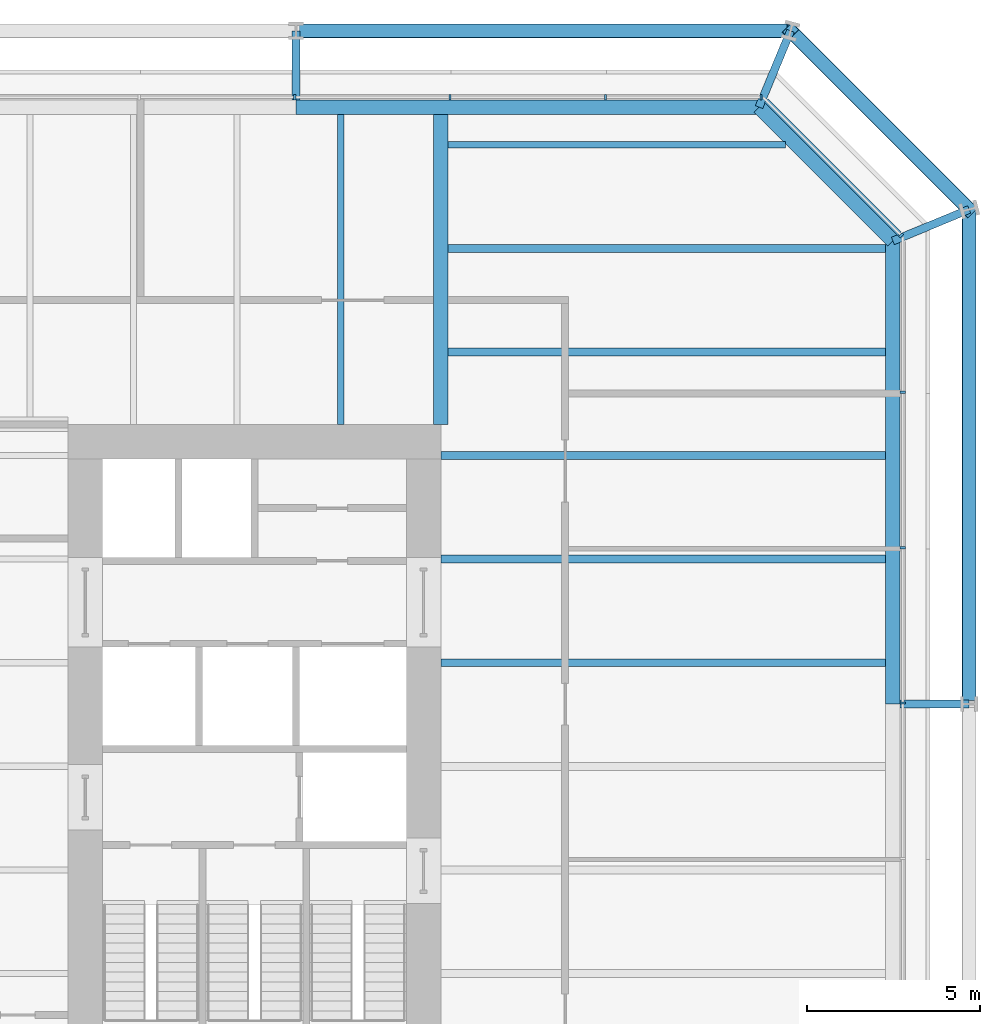
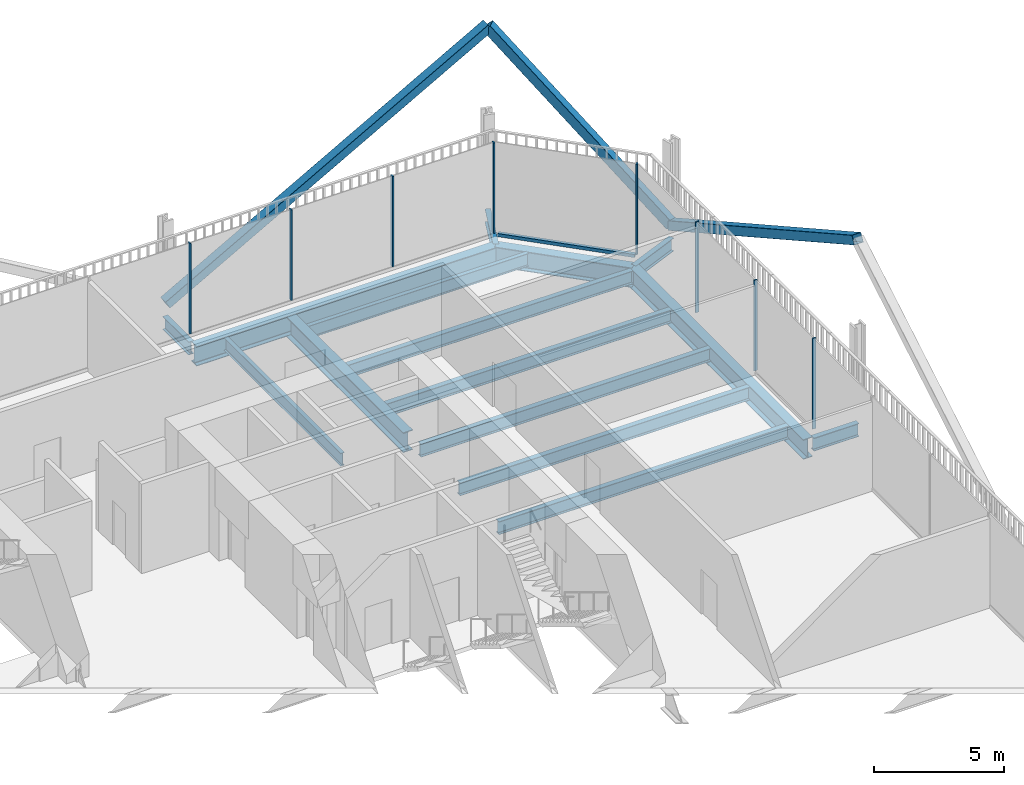
# One storey, part 15 of 21: 15 beams, 12 members, 3 elements without a shape of their own.
"""IFC4 building model written with IfcOpenShell, lengths in metres."""

import ifcopenshell
import ifcopenshell.guid

model = None  # the IFC model being written
_history = None  # IfcOwnerHistory: only IFC2X3 demands one
_inside = {}  # id of a spatial element -> (the spatial element, [elements in it])
_under = {}  # id of a project, library or spatial element -> (it, [spatial elements below it])
_declared = {}  # id of a project -> (the project, [libraries it declares])
_typed = {}  # id of a type object -> (the type object, [elements of that type])
_made_of = {}  # id of a material, layer set ... -> (it, [elements and type objects made of it])


def new_model(schema):
    """Start an empty IFC model of exactly this schema.

    Asked for "IFC4X3", IfcOpenShell would pick the latest addendum, in which some entities
    have other attributes; the version numbers below select the first issue.
    IFC2X3 requires an IfcOwnerHistory on every rooted entity: one is made here for all.
    """
    global model, _history
    if schema == "IFC4X3":
        model = ifcopenshell.file(schema_version=(4, 3, 0, 0))
    else:
        model = ifcopenshell.file(schema=schema)
    _inside.clear()
    _under.clear()
    _declared.clear()
    _typed.clear()
    _made_of.clear()
    _history = None
    if model.schema == "IFC2X3":
        org = make("IfcOrganization", Name="unknown")
        user = make(
            "IfcPersonAndOrganization",
            ThePerson=make("IfcPerson", FamilyName="unknown"),
            TheOrganization=org,
        )
        app = make(
            "IfcApplication",
            ApplicationDeveloper=org,
            Version="unknown",
            ApplicationFullName="unknown",
            ApplicationIdentifier="unknown",
        )
        _history = make(
            "IfcOwnerHistory",
            OwningUser=user,
            OwningApplication=app,
            ChangeAction="ADDED",
            CreationDate=0,
        )
    return model


def make(cls, **values):
    """One entity of the class cls with the attributes given. An attribute that is None is left unset."""
    return model.create_entity(
        cls, **{name: value for name, value in values.items() if value is not None}
    )


def rooted(cls, **values):
    """An entity with a GlobalId (a new one), such as an element, a storey or a relation."""
    return make(cls, GlobalId=ifcopenshell.guid.new(), OwnerHistory=_history, **values)


def si_unit(unit_type, name, prefix=None):
    """IfcSIUnit, for example si_unit("LENGTHUNIT", "METRE", prefix="MILLI")."""
    return make("IfcSIUnit", UnitType=unit_type, Prefix=prefix, Name=name)


def assignment(units):
    """IfcUnitAssignment: the units of a project."""
    return None if units is None else make("IfcUnitAssignment", Units=units)


def point(xyz):
    """IfcCartesianPoint."""
    return None if xyz is None else make("IfcCartesianPoint", Coordinates=xyz)


def direction(xyz):
    """IfcDirection."""
    return None if xyz is None else make("IfcDirection", DirectionRatios=xyz)


def frame(location, z_axis=None, x_axis=None):
    """IfcAxis2Placement3D, a coordinate frame: its origin and axes. An axis left out is left unset."""
    return make(
        "IfcAxis2Placement3D",
        Location=point(location),
        Axis=direction(z_axis),
        RefDirection=direction(x_axis),
    )


def frame_2d(location, x_axis=None):
    """IfcAxis2Placement2D, a coordinate frame in the plane: its origin and x axis."""
    return make(
        "IfcAxis2Placement2D", Location=point(location), RefDirection=direction(x_axis)
    )


def origin():
    """The frame at (0, 0, 0) with its axes left unset."""
    return frame((0.0, 0.0, 0.0))


def origin_2d():
    """The frame at (0, 0) in the plane with its x axis left unset."""
    return frame_2d((0.0, 0.0))


def place(relative_to, where):
    """IfcLocalPlacement: puts the frame where relative to a parent placement (None: the world)."""
    return make(
        "IfcLocalPlacement", PlacementRelTo=relative_to, RelativePlacement=where
    )


def context(
    kind, dimensions, precision=None, world=None, true_north=None, identifier=None
):
    """IfcGeometricRepresentationContext, for example the 3D "Model" context."""
    return make(
        "IfcGeometricRepresentationContext",
        ContextIdentifier=identifier,
        ContextType=kind,
        CoordinateSpaceDimension=dimensions,
        Precision=precision,
        WorldCoordinateSystem=world,
        TrueNorth=true_north,
    )


def subcontext(parent, identifier, kind, view, scale=None):
    """IfcGeometricRepresentationSubContext, for example "Body" below "Model"."""
    return make(
        "IfcGeometricRepresentationSubContext",
        ContextIdentifier=identifier,
        ContextType=kind,
        ParentContext=parent,
        TargetScale=scale,
        TargetView=view,
    )


def project(units=None, contexts=None):
    """IfcProject with its units and contexts."""
    return rooted(
        "IfcProject",
        Name="project",
        RepresentationContexts=contexts,
        UnitsInContext=assignment(units),
    )


def spatial(cls, under=None, at=None, **own):
    """A site, building, storey or space (cls), placed at a placement, below another one or the project."""
    s = rooted(cls, ObjectPlacement=at, **own)
    if under is not None:
        _under.setdefault(under.id(), (under, []))[1].append(s)
    return s


def profile(cls, at=None, kind="AREA", **sizes):
    """A parametric profile (cls). Its sizes go by their IFC names, for example OverallWidth=200.0."""
    return make(cls, ProfileType=kind, Position=at, **sizes)


def rectangle(**sizes):
    """IfcRectangleProfileDef."""
    return profile("IfcRectangleProfileDef", **sizes)


def hollow_rectangle(**sizes):
    """IfcRectangleHollowProfileDef."""
    return profile("IfcRectangleHollowProfileDef", **sizes)


def i_section(**sizes):
    """IfcIShapeProfileDef."""
    return profile("IfcIShapeProfileDef", **sizes)


def extrude(swept, where, along, depth):
    """IfcExtrudedAreaSolid: the profile swept, set in the frame where, extruded along a direction by depth."""
    return make(
        "IfcExtrudedAreaSolid",
        SweptArea=swept,
        Position=where,
        ExtrudedDirection=direction(along),
        Depth=depth,
    )


def shape(context_of_items, identifier, shape_type, items):
    """IfcShapeRepresentation: the items that make up one representation, for example the "Body"."""
    return make(
        "IfcShapeRepresentation",
        ContextOfItems=context_of_items,
        RepresentationIdentifier=identifier,
        RepresentationType=shape_type,
        Items=items,
    )


def material(Name=None, Category=None):
    """IfcMaterial."""
    return make("IfcMaterial", Name=Name, Category=Category)


def layer(
    of_material, thickness, ventilated=None, Name=None, Category=None, Priority=None
):
    """IfcMaterialLayer: one layer of a wall or slab, of a material (None: an air gap)."""
    return make(
        "IfcMaterialLayer",
        Material=of_material,
        LayerThickness=thickness,
        IsVentilated=ventilated,
        Name=Name,
        Category=Category,
        Priority=Priority,
    )


def layer_set(layers, Name=None):
    """IfcMaterialLayerSet."""
    return make("IfcMaterialLayerSet", MaterialLayers=layers, LayerSetName=Name)


def material_profile(
    of_material, cross_section, Name=None, Category=None, Priority=None
):
    """IfcMaterialProfile: a cross section and its material."""
    return make(
        "IfcMaterialProfile",
        Name=Name,
        Material=of_material,
        Profile=cross_section,
        Priority=Priority,
        Category=Category,
    )


def profile_set(profiles, Name=None, composite=None):
    """IfcMaterialProfileSet."""
    return make(
        "IfcMaterialProfileSet",
        Name=Name,
        MaterialProfiles=profiles,
        CompositeProfile=composite,
    )


def made_of(thing, what):
    """Note that an element or type object is made of a material, layer set ...; save() writes the relation."""
    if what is not None:
        _made_of.setdefault(what.id(), (what, []))[1].append(thing)
    return thing


def type_object(cls, material=None, **own):
    """A type object (cls), such as IfcWallType, which elements share."""
    return made_of(rooted(cls, **own), material)


def element(
    cls,
    number,
    at=None,
    inside=None,
    cuts=None,
    type_object=None,
    material=None,
    context=None,
    identifier="Body",
    shape_type=None,
    held_by="IfcProductDefinitionShape",
    body=None,
    shapes=None,
    **own,
):
    """One element of the class cls, such as IfcWall. Its Tag is "e" and its number.

    at: its placement. inside: the storey or other place that contains it. cuts: it is an
    opening in that element (IfcRelVoidsElement). A single representation is given by context,
    identifier, shape_type and body (its items); several are given by shapes. held_by: the class
    of the entity that holds the representations. save() writes the other relations.
    """
    e = rooted(cls, Tag="e%d" % number, ObjectPlacement=at, **own)
    if body is not None:
        shapes = [shape(context, identifier, shape_type, body)]
    if shapes is not None:
        e.Representation = make(held_by, Representations=shapes)
    if inside is not None:
        _inside.setdefault(inside.id(), (inside, []))[1].append(e)
    if cuts is not None:
        rooted(
            "IfcRelVoidsElement", RelatingBuildingElement=cuts, RelatedOpeningElement=e
        )
    if type_object is not None:
        _typed.setdefault(type_object.id(), (type_object, []))[1].append(e)
    return made_of(e, material)


def aggregate(whole, parts):
    """IfcRelAggregates: a whole, such as a stair, and the parts it consists of."""
    return rooted("IfcRelAggregates", RelatingObject=whole, RelatedObjects=parts)


def save(model, path):
    """Write the relations noted so far, then the file.

    IfcRelAggregates (storeys below a building ...), IfcRelContainedInSpatialStructure (elements
    in a storey), IfcRelDefinesByType, IfcRelAssociatesMaterial and IfcRelDeclares: one each for
    every whole, place, type object, material and project.
    """
    for whole, parts in _under.values():
        aggregate(whole, parts)
    for where, things in _inside.values():
        rooted(
            "IfcRelContainedInSpatialStructure",
            RelatedElements=things,
            RelatingStructure=where,
        )
    for kind, things in _typed.values():
        rooted("IfcRelDefinesByType", RelatedObjects=things, RelatingType=kind)
    for what, things in _made_of.values():
        rooted("IfcRelAssociatesMaterial", RelatedObjects=things, RelatingMaterial=what)
    for by, libraries in _declared.values():
        rooted("IfcRelDeclares", RelatingContext=by, RelatedDefinitions=libraries)
    model.write(path)


model = new_model("IFC4")

# Units and contexts
model_context = context("Model", 3, precision=1e-05, world=origin(), true_north=direction((0.0, 1.0)))
body_context = subcontext(model_context, "Body", "Model", "MODEL_VIEW")
ifc_project = project(units=[si_unit("LENGTHUNIT", "METRE"), si_unit("AREAUNIT", "SQUARE_METRE"), si_unit("VOLUMEUNIT", "CUBIC_METRE"), si_unit("PLANEANGLEUNIT", "RADIAN"), si_unit("MASSUNIT", "GRAM", prefix="KILO")], contexts=[model_context])

# Site, building, storey
site_placement = place(None, origin())
site = spatial("IfcSite", under=ifc_project, at=site_placement, CompositionType="ELEMENT")
building_placement = place(site_placement, origin())
building = spatial("IfcBuilding", under=site, at=building_placement, Name="Millrace Tower", CompositionType="ELEMENT")
storey_placement = place(building_placement, frame((0.0, 0.0, 95.199951171875)))
storey = spatial("IfcBuildingStorey", under=building, at=storey_placement, Name="L21", CompositionType="ELEMENT", Elevation=95.199951171875)

# Curtain wall, members
ifc_material_1 = material(Name="Aluminium and glass", Category="aluminium")
ifc_layer = layer(ifc_material_1, 0.14990234375)
ifc_layer_set = layer_set([ifc_layer], Name="Aluminium and glass")
curtain_wall_type = type_object("IfcCurtainWallType", Name="CW-3 telecom floor curtain wall", PredefinedType="NOTDEFINED", material=ifc_layer_set)
placement = place(storey_placement, origin())
curtain_wall_1 = element("IfcCurtainWall", 1, at=placement, inside=storey, type_object=curtain_wall_type, Name="Curtain wall B-F04 L21", PredefinedType="NOTDEFINED")
ifc_material_2 = material(Name="Aluminium", Category="aluminium")
ifc_material_profile_1 = material_profile(ifc_material_2, rectangle(XDim=0.06494140625, YDim=0.14990234375, at=origin_2d()))
ifc_profile_set_1 = profile_set([ifc_material_profile_1], Name="Aluminium")
member_type_1 = type_object("IfcMemberType", Name="CW-3 telecom floor curtain wall mullion", PredefinedType="MULLION", material=ifc_profile_set_1)
member_1_placement = place(storey_placement, frame((28.27490234375, 1.83251953125, 0.150146484375), z_axis=(0.0, 0.0, 1.0), x_axis=(0.0, 1.0, 0.0)))
member_1 = element("IfcMember", 2, at=member_1_placement, type_object=member_type_1, Name="CW3 mullion B-F04.7", PredefinedType="MULLION", context=body_context, shape_type="SweptSolid", body=[
    extrude(rectangle(XDim=0.06494140625, YDim=0.14990234375, at=origin_2d()), origin(), (0.0, 0.0, 1.0), 4.25),
])
member_2_placement = place(storey_placement, frame((28.27490234375, 6.33251953125, 0.150146484375), z_axis=(0.0, 0.0, 1.0), x_axis=(0.0, 1.0, 0.0)))
member_2 = element("IfcMember", 3, at=member_2_placement, type_object=member_type_1, Name="CW3 mullion B-F04.8", PredefinedType="MULLION", context=body_context, shape_type="SweptSolid", body=[
    extrude(rectangle(XDim=0.06494140625, YDim=0.14990234375, at=origin_2d()), origin(), (0.0, 0.0, 1.0), 4.25),
])
member_3_placement = place(storey_placement, frame((28.27490234375, 10.83251953125, 0.150146484375), z_axis=(0.0, 0.0, 1.0), x_axis=(0.0, 1.0, 0.0)))
member_3 = element("IfcMember", 4, at=member_3_placement, type_object=member_type_1, Name="CW3 mullion B-F04.9", PredefinedType="MULLION", context=body_context, shape_type="SweptSolid", body=[
    extrude(rectangle(XDim=0.06494140625, YDim=0.14990234375, at=origin_2d()), origin(), (0.0, 0.0, 1.0), 4.25),
])
aggregate(curtain_wall_1, [member_1, member_2, member_3])

# Curtain wall, member
curtain_wall_2 = element("IfcCurtainWall", 5, at=placement, inside=storey, type_object=curtain_wall_type, Name="Curtain wall B-F05 L21", PredefinedType="NOTDEFINED")
member_4_placement = place(storey_placement, frame((28.22998046875, 15.3759765625, 0.150146484375), z_axis=(0.0, 0.0, 1.0), x_axis=(-0.707106781187, 0.707106781187, 0.0)))
member_4 = element("IfcMember", 6, at=member_4_placement, type_object=member_type_1, Name="CW3 mullion B-F05.1", PredefinedType="MULLION", context=body_context, shape_type="SweptSolid", body=[
    extrude(rectangle(XDim=0.06494140625, YDim=0.14990234375, at=origin_2d()), origin(), (0.0, 0.0, 1.0), 4.25),
])

# Curtain wall, members
curtain_wall_3 = element("IfcCurtainWall", 7, at=placement, inside=storey, type_object=curtain_wall_type, Name="Curtain wall B-F06 L21", PredefinedType="NOTDEFINED")
member_5_placement = place(storey_placement, frame((24.16748046875, 19.375, 0.150146484375), z_axis=(0.0, 0.0, 1.0), x_axis=(-1.0, 0.0, 0.0)))
member_5 = element("IfcMember", 8, at=member_5_placement, type_object=member_type_1, Name="CW3 mullion B-F06.1", PredefinedType="MULLION", context=body_context, shape_type="SweptSolid", body=[
    extrude(rectangle(XDim=0.06494140625, YDim=0.14990234375, at=origin_2d()), origin(), (0.0, 0.0, 1.0), 4.25),
])
member_6_placement = place(storey_placement, frame((19.66748046875, 19.375, 0.150146484375), z_axis=(0.0, 0.0, 1.0), x_axis=(-1.0, 0.0, 0.0)))
member_6 = element("IfcMember", 9, at=member_6_placement, type_object=member_type_1, Name="CW3 mullion B-F06.2", PredefinedType="MULLION", context=body_context, shape_type="SweptSolid", body=[
    extrude(rectangle(XDim=0.06494140625, YDim=0.14990234375, at=origin_2d()), origin(), (0.0, 0.0, 1.0), 4.25),
])
member_7_placement = place(storey_placement, frame((15.16748046875, 19.375, 0.150146484375), z_axis=(0.0, 0.0, 1.0), x_axis=(-1.0, 0.0, 0.0)))
member_7 = element("IfcMember", 10, at=member_7_placement, type_object=member_type_1, Name="CW3 mullion B-F06.3", PredefinedType="MULLION", context=body_context, shape_type="SweptSolid", body=[
    extrude(rectangle(XDim=0.06494140625, YDim=0.14990234375, at=origin_2d()), origin(), (0.0, 0.0, 1.0), 4.25),
])
member_8_placement = place(storey_placement, frame((10.66748046875, 19.375, 0.150146484375), z_axis=(0.0, 0.0, 1.0), x_axis=(-1.0, 0.0, 0.0)))
member_8 = element("IfcMember", 11, at=member_8_placement, type_object=member_type_1, Name="CW3 mullion B-F06.4", PredefinedType="MULLION", context=body_context, shape_type="SweptSolid", body=[
    extrude(rectangle(XDim=0.06494140625, YDim=0.14990234375, at=origin_2d()), origin(), (0.0, 0.0, 1.0), 4.25),
])
aggregate(curtain_wall_3, [member_5, member_6, member_7, member_8])

# Member
ifc_material_3 = material(Name="Aluminium", Category="aluminium")
ifc_material_profile_2 = material_profile(ifc_material_3, rectangle(XDim=0.14990234375, YDim=0.14990234375, at=origin_2d()))
ifc_profile_set_2 = profile_set([ifc_material_profile_2], Name="Aluminium")
member_type_2 = type_object("IfcMemberType", Name="CW-3 telecom floor curtain wall transom", PredefinedType="USERDEFINED", material=ifc_profile_set_2)
member_9_placement = place(storey_placement, frame((28.182373046875, 15.423828125, 0.074951171875), z_axis=(-0.707129151258, 0.707084410407, 0.0), x_axis=(-0.707084410407, -0.707129151258, 0.0)))
member_9 = element("IfcMember", 12, at=member_9_placement, type_object=member_type_2, Name="CW3 transom B-F05.1", ObjectType="TRANSOM", PredefinedType="USERDEFINED", context=body_context, shape_type="SweptSolid", body=[
    extrude(rectangle(XDim=0.14990234375, YDim=0.14990234375, at=origin_2d()), origin(), (0.0, 0.0, 1.0), 5.456787109375),
])

aggregate(curtain_wall_2, [member_4, member_9])

# Members
ifc_material_4 = material(Name="Steel ASTM A500 Grade C", Category="steel")
ifc_material_profile_3 = material_profile(ifc_material_4, hollow_rectangle(XDim=0.406494140625, YDim=0.406494140625, WallThickness=0.0126953125, InnerFilletRadius=0.00634765625, OuterFilletRadius=0.01904296875, at=origin_2d()))
ifc_profile_set_3 = profile_set([ifc_material_profile_3], Name="Steel ASTM A500 Grade C")
member_type_3 = type_object("IfcMemberType", Name="Exoskeleton brace HSS16x16x1/2", PredefinedType="BRACE", material=ifc_profile_set_3)
member_10_placement = place(storey_placement, frame((30.199951171875, 16.12841796875, 0.400146484375), z_axis=(0.0, -0.873125840427, 0.487494888976), x_axis=(1.0, 0.0, 0.0)))
element("IfcMember", 13, at=member_10_placement, inside=storey, type_object=member_type_3, Name="BRC-B-L21-08", PredefinedType="BRACE", context=body_context, shape_type="SweptSolid", body=[
    extrude(hollow_rectangle(XDim=0.406494140625, YDim=0.406494140625, WallThickness=0.0126953125, InnerFilletRadius=0.00634765625, OuterFilletRadius=0.01904296875, at=origin_2d()), origin(), (0.0, 0.0, 1.0), 16.410400390625),
])
member_11_placement = place(storey_placement, frame((30.199951171875, 16.12841796875, 0.400146484375), z_axis=(-0.477116280189, 0.477116280189, 0.738051563482), x_axis=(-0.707106781187, -0.707106781187, 0.0)))
element("IfcMember", 14, at=member_11_placement, inside=storey, type_object=member_type_3, Name="BRC-B-L21-09", PredefinedType="BRACE", context=body_context, shape_type="SweptSolid", body=[
    extrude(hollow_rectangle(XDim=0.406494140625, YDim=0.406494140625, WallThickness=0.0126953125, InnerFilletRadius=0.00634765625, OuterFilletRadius=0.01904296875, at=origin_2d()), origin(), (0.0, 0.0, 1.0), 10.83935546875),
])
member_12_placement = place(storey_placement, frame((10.699951171875, 21.300048828125, 0.400146484375), z_axis=(0.873125840427, 0.0, 0.487494888976), x_axis=(0.0, 1.0, 0.0)))
element("IfcMember", 15, at=member_12_placement, inside=storey, type_object=member_type_3, Name="BRC-B-L21-10", PredefinedType="BRACE", context=body_context, shape_type="SweptSolid", body=[
    extrude(hollow_rectangle(XDim=0.406494140625, YDim=0.406494140625, WallThickness=0.0126953125, InnerFilletRadius=0.00634765625, OuterFilletRadius=0.01904296875, at=origin_2d()), origin(), (0.0, 0.0, 1.0), 16.410400390625),
])

# Beams
ifc_material_5 = material(Name="Steel ASTM A992 Grade 50", Category="steel")
ifc_material_profile_4 = material_profile(ifc_material_5, i_section(OverallWidth=0.177978515625, OverallDepth=0.599365234375, WebThickness=0.010009765625, FlangeThickness=0.012939453125, FilletRadius=0.012939453125, at=origin_2d()))
ifc_profile_set_4 = profile_set([ifc_material_profile_4], Name="Steel ASTM A992 Grade 50")
beam_type_1 = type_object("IfcBeamType", Name="Floor beam W24x55", PredefinedType="JOIST", material=ifc_profile_set_4)
beam_1_placement = place(storey_placement, frame((12.0, 9.89990234375, -0.499755859375), z_axis=(0.0, 1.0, 0.0), x_axis=(-1.0, 0.0, 0.0)))
element("IfcBeam", 16, at=beam_1_placement, inside=storey, type_object=beam_type_1, Name="BM-B-L21-S1-S056", PredefinedType="JOIST", context=body_context, shape_type="SweptSolid", body=[
    extrude(i_section(OverallWidth=0.177978515625, OverallDepth=0.599365234375, WebThickness=0.010009765625, FlangeThickness=0.012939453125, FilletRadius=0.012939453125, at=origin_2d()), origin(), (0.0, 0.0, 1.0), 8.98095703125),
])
beam_2_placement = place(storey_placement, frame((15.11083984375, 18.0, -0.499755859375), z_axis=(1.0, 0.0, 0.0), x_axis=(0.0, 1.0, 0.0)))
element("IfcBeam", 17, at=beam_2_placement, inside=storey, type_object=beam_type_1, Name="BM-B-L21-S1-S039", PredefinedType="JOIST", context=body_context, shape_type="SweptSolid", body=[
    extrude(i_section(OverallWidth=0.177978515625, OverallDepth=0.599365234375, WebThickness=0.010009765625, FlangeThickness=0.012939453125, FilletRadius=0.012939453125, at=origin_2d()), origin(), (0.0, 0.0, 1.0), 9.7724609375),
])
ifc_material_6 = material(Name="Steel ASTM A992 Grade 50", Category="steel")
ifc_material_profile_5 = material_profile(ifc_material_6, i_section(OverallWidth=0.228271484375, OverallDepth=0.607177734375, WebThickness=0.01123046875, FlangeThickness=0.017333984375, FilletRadius=0.0126953125, at=origin_2d()))
ifc_profile_set_5 = profile_set([ifc_material_profile_5], Name="Steel ASTM A992 Grade 50")
beam_type_2 = type_object("IfcBeamType", Name="Floor beam W24x76", PredefinedType="JOIST", material=ifc_profile_set_5)
for number, where, z_axis, x_axis, name in (
    (18, (14.89990234375, 3.0, -0.50341796875), (1.0, 0.0, 0.0), (0.0, 1.0, 0.0), "BM-B-L21-S1-S027"),
    (19, (14.89990234375, 6.0, -0.50341796875), (1.0, 0.0, 0.0), (0.0, 1.0, 0.0), "BM-B-L21-S1-S030"),
    (20, (14.89990234375, 9.0, -0.50341796875), (1.0, 0.0, 0.0), (0.0, 1.0, 0.0), "BM-B-L21-S1-S033"),
):
    element("IfcBeam", number, at=place(storey_placement, frame(where, z_axis=z_axis, x_axis=x_axis)), inside=storey, type_object=beam_type_2, Name=name, PredefinedType="JOIST", context=body_context, shape_type="SweptSolid", body=[
        extrude(i_section(OverallWidth=0.228271484375, OverallDepth=0.607177734375, WebThickness=0.01123046875, FlangeThickness=0.017333984375, FilletRadius=0.0126953125, at=origin_2d()), origin(), (0.0, 0.0, 1.0), 12.881103515625),
    ])
for number, where, z_axis, x_axis, name in (
    (21, (15.11083984375, 12.0, -0.50341796875), (1.0, 0.0, 0.0), (0.0, 1.0, 0.0), "BM-B-L21-S1-S035"),
    (22, (15.11083984375, 15.0, -0.50341796875), (1.0, 0.0, 0.0), (0.0, 1.0, 0.0), "BM-B-L21-S1-S037"),
):
    element("IfcBeam", number, at=place(storey_placement, frame(where, z_axis=z_axis, x_axis=x_axis)), inside=storey, type_object=beam_type_2, Name=name, PredefinedType="JOIST", context=body_context, shape_type="SweptSolid", body=[
        extrude(i_section(OverallWidth=0.228271484375, OverallDepth=0.607177734375, WebThickness=0.01123046875, FlangeThickness=0.017333984375, FilletRadius=0.0126953125, at=origin_2d()), origin(), (0.0, 0.0, 1.0), 12.670166015625),
    ])
ifc_material_7 = material(Name="Steel ASTM A992 Grade 50", Category="steel")
ifc_material_profile_6 = material_profile(ifc_material_7, i_section(OverallWidth=0.421630859375, OverallDepth=0.937255859375, WebThickness=0.021240234375, FlangeThickness=0.03662109375, FilletRadius=0.024169921875, at=origin_2d()))
ifc_profile_set_6 = profile_set([ifc_material_profile_6], Name="Steel ASTM A992 Grade 50")
beam_type_3 = type_object("IfcBeamType", Name="Girder short span W36x262", PredefinedType="BEAM", material=ifc_profile_set_6)
beam_3_placement = place(storey_placement, frame((14.89990234375, 9.89990234375, -0.668701171875), z_axis=(0.0, 1.0, 0.0), x_axis=(-1.0, 0.0, 0.0)))
element("IfcBeam", 23, at=beam_3_placement, inside=storey, type_object=beam_type_3, Name="BM-B-L21-S1-G060", PredefinedType="BEAM", context=body_context, shape_type="SweptSolid", body=[
    extrude(i_section(OverallWidth=0.421630859375, OverallDepth=0.937255859375, WebThickness=0.021240234375, FlangeThickness=0.03662109375, FilletRadius=0.024169921875, at=origin_2d()), origin(), (0.0, 0.0, 1.0), 8.98095703125),
])
ifc_material_8 = material(Name="Steel ASTM A992 Grade 50", Category="steel")
ifc_material_profile_7 = material_profile(ifc_material_8, i_section(OverallWidth=0.23046875, OverallDepth=0.6171875, WebThickness=0.01318359375, FlangeThickness=0.022216796875, FilletRadius=0.012939453125, at=origin_2d()))
ifc_profile_set_7 = profile_set([ifc_material_profile_7], Name="Steel ASTM A992 Grade 50")
beam_type_4 = type_object("IfcBeamType", Name="Link beam W24x94", PredefinedType="BEAM", material=ifc_profile_set_7)
beam_4_placement = place(storey_placement, frame((10.699951171875, 19.300048828125, -0.508544921875), z_axis=(0.0, 1.0, 0.0), x_axis=(-1.0, 0.0, 0.0)))
element("IfcBeam", 24, at=beam_4_placement, inside=storey, type_object=beam_type_4, Name="LNK-B-L21-S1-07", PredefinedType="BEAM", context=body_context, shape_type="SweptSolid", body=[
    extrude(i_section(OverallWidth=0.23046875, OverallDepth=0.6171875, WebThickness=0.01318359375, FlangeThickness=0.022216796875, FilletRadius=0.012939453125, at=origin_2d()), origin(), (0.0, 0.0, 1.0), 2.0),
])
for number, where, z_axis, x_axis, name in (
    (25, (24.11328125, 19.09033203125, -0.508544921875), (0.382592209583, 0.923917312949, 0.0), (-0.923917312949, 0.382592209583, 0.0), "LNK-B-L21-S1-08"),
    (26, (27.990478515625, 15.213134765625, -0.508544921875), (0.92386627665, 0.382715433277, 0.0), (-0.382715433277, 0.92386627665, 0.0), "LNK-B-L21-S1-09"),
):
    element("IfcBeam", number, at=place(storey_placement, frame(where, z_axis=z_axis, x_axis=x_axis)), inside=storey, type_object=beam_type_4, Name=name, PredefinedType="BEAM", context=body_context, shape_type="SweptSolid", body=[
        extrude(i_section(OverallWidth=0.23046875, OverallDepth=0.6171875, WebThickness=0.01318359375, FlangeThickness=0.022216796875, FilletRadius=0.012939453125, at=origin_2d()), origin(), (0.0, 0.0, 1.0), 2.3916015625),
    ])
beam_5_placement = place(storey_placement, frame((28.199951171875, 1.800048828125, -0.508544921875), z_axis=(1.0, 0.0, 0.0), x_axis=(0.0, 1.0, 0.0)))
element("IfcBeam", 27, at=beam_5_placement, inside=storey, type_object=beam_type_4, Name="LNK-B-L21-S1-10", PredefinedType="BEAM", context=body_context, shape_type="SweptSolid", body=[
    extrude(i_section(OverallWidth=0.23046875, OverallDepth=0.6171875, WebThickness=0.01318359375, FlangeThickness=0.022216796875, FilletRadius=0.012939453125, at=origin_2d()), origin(), (0.0, 0.0, 1.0), 2.0),
])
ifc_material_9 = material(Name="Steel ASTM A992 Grade 50", Category="steel")
ifc_material_profile_8 = material_profile(ifc_material_9, i_section(OverallWidth=0.419189453125, OverallDepth=0.927001953125, WebThickness=0.019287109375, FlangeThickness=0.031982421875, FilletRadius=0.024169921875, at=origin_2d()))
ifc_profile_set_8 = profile_set([ifc_material_profile_8], Name="Steel ASTM A992 Grade 50")
beam_type_5 = type_object("IfcBeamType", Name="Ring beam medium span W36x231", PredefinedType="SPANDREL", material=ifc_profile_set_8)
beam_6_placement = place(storey_placement, frame((10.699951171875, 19.09033203125, -0.66357421875), z_axis=(1.0, 0.0, 0.0), x_axis=(0.0, 1.0, 0.0)))
element("IfcBeam", 28, at=beam_6_placement, inside=storey, type_object=beam_type_5, Name="RNG-B-L21-S1-07", PredefinedType="SPANDREL", context=body_context, shape_type="SweptSolid", body=[
    extrude(i_section(OverallWidth=0.419189453125, OverallDepth=0.927001953125, WebThickness=0.019287109375, FlangeThickness=0.031982421875, FilletRadius=0.024169921875, at=origin_2d()), origin(), (0.0, 0.0, 1.0), 13.413330078125),
])
beam_7_placement = place(storey_placement, frame((27.990478515625, 15.213134765625, -0.66357421875), z_axis=(0.0, -1.0, 0.0), x_axis=(1.0, 0.0, 0.0)))
element("IfcBeam", 29, at=beam_7_placement, inside=storey, type_object=beam_type_5, Name="RNG-B-L21-S1-09", PredefinedType="SPANDREL", context=body_context, shape_type="SweptSolid", body=[
    extrude(i_section(OverallWidth=0.419189453125, OverallDepth=0.927001953125, WebThickness=0.019287109375, FlangeThickness=0.031982421875, FilletRadius=0.024169921875, at=origin_2d()), origin(), (0.0, 0.0, 1.0), 13.4130859375),
])
ifc_material_10 = material(Name="Steel ASTM A992 Grade 50", Category="steel")
ifc_material_profile_9 = material_profile(ifc_material_10, i_section(OverallWidth=0.419189453125, OverallDepth=0.927001953125, WebThickness=0.019287109375, FlangeThickness=0.031982421875, FilletRadius=0.024169921875, at=origin_2d()))
ifc_profile_set_9 = profile_set([ifc_material_profile_9], Name="Steel ASTM A992 Grade 50")
beam_type_6 = type_object("IfcBeamType", Name="Ring beam short span W36x231", PredefinedType="SPANDREL", material=ifc_profile_set_9)
beam_8_placement = place(storey_placement, frame((24.11328125, 19.09033203125, -0.66357421875), z_axis=(0.707106781187, -0.707106781187, 0.0), x_axis=(0.707106781187, 0.707106781187, 0.0)))
element("IfcBeam", 30, at=beam_8_placement, inside=storey, type_object=beam_type_6, Name="RNG-B-L21-S1-08", PredefinedType="SPANDREL", context=body_context, shape_type="SweptSolid", body=[
    extrude(i_section(OverallWidth=0.419189453125, OverallDepth=0.927001953125, WebThickness=0.019287109375, FlangeThickness=0.031982421875, FilletRadius=0.024169921875, at=origin_2d()), origin(), (0.0, 0.0, 1.0), 5.483154296875),
])

save(model, "model.ifc")
